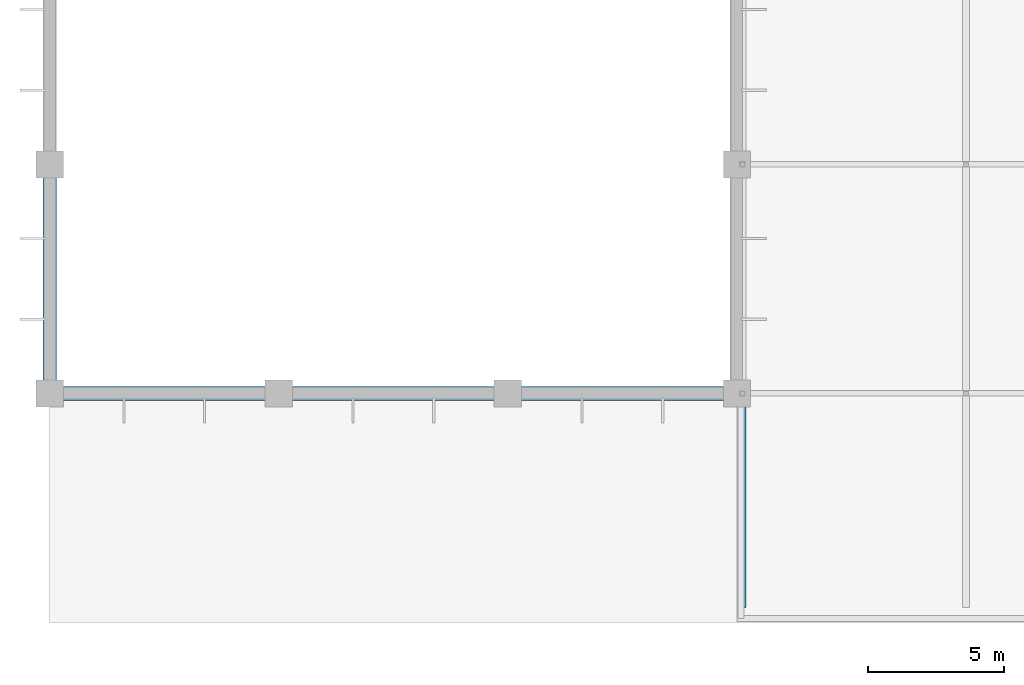
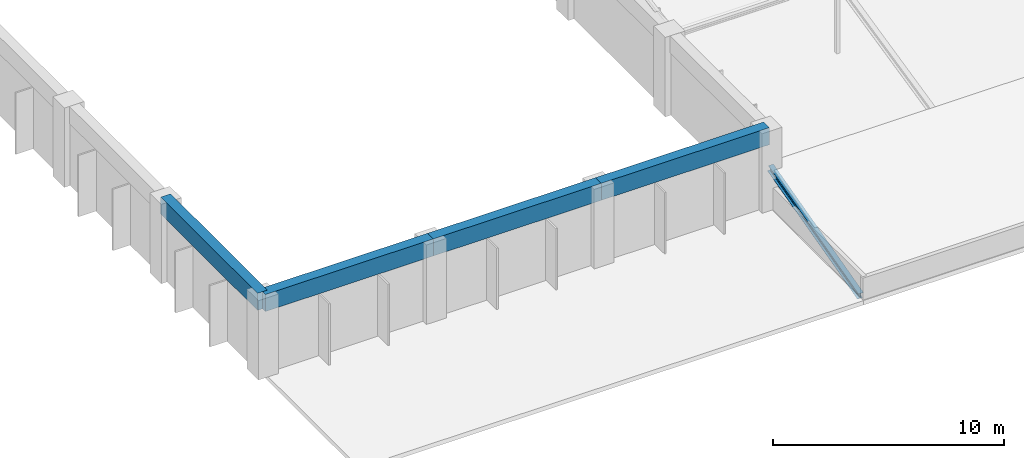
# One storey, part 4 of 34: 4 beams, 1 member.
"""IFC4 building model written with IfcOpenShell, lengths in metres."""

import ifcopenshell
import ifcopenshell.guid

model = None  # the IFC model being written
_history = None  # IfcOwnerHistory: only IFC2X3 demands one
_inside = {}  # id of a spatial element -> (the spatial element, [elements in it])
_under = {}  # id of a project, library or spatial element -> (it, [spatial elements below it])
_declared = {}  # id of a project -> (the project, [libraries it declares])
_typed = {}  # id of a type object -> (the type object, [elements of that type])
_made_of = {}  # id of a material, layer set ... -> (it, [elements and type objects made of it])


def new_model(schema):
    """Start an empty IFC model of exactly this schema.

    Asked for "IFC4X3", IfcOpenShell would pick the latest addendum, in which some entities
    have other attributes; the version numbers below select the first issue.
    IFC2X3 requires an IfcOwnerHistory on every rooted entity: one is made here for all.
    """
    global model, _history
    if schema == "IFC4X3":
        model = ifcopenshell.file(schema_version=(4, 3, 0, 0))
    else:
        model = ifcopenshell.file(schema=schema)
    _inside.clear()
    _under.clear()
    _declared.clear()
    _typed.clear()
    _made_of.clear()
    _history = None
    if model.schema == "IFC2X3":
        org = make("IfcOrganization", Name="unknown")
        user = make(
            "IfcPersonAndOrganization",
            ThePerson=make("IfcPerson", FamilyName="unknown"),
            TheOrganization=org,
        )
        app = make(
            "IfcApplication",
            ApplicationDeveloper=org,
            Version="unknown",
            ApplicationFullName="unknown",
            ApplicationIdentifier="unknown",
        )
        _history = make(
            "IfcOwnerHistory",
            OwningUser=user,
            OwningApplication=app,
            ChangeAction="ADDED",
            CreationDate=0,
        )
    return model


def make(cls, **values):
    """One entity of the class cls with the attributes given. An attribute that is None is left unset."""
    return model.create_entity(
        cls, **{name: value for name, value in values.items() if value is not None}
    )


def rooted(cls, **values):
    """An entity with a GlobalId (a new one), such as an element, a storey or a relation."""
    return make(cls, GlobalId=ifcopenshell.guid.new(), OwnerHistory=_history, **values)


def si_unit(unit_type, name, prefix=None):
    """IfcSIUnit, for example si_unit("LENGTHUNIT", "METRE", prefix="MILLI")."""
    return make("IfcSIUnit", UnitType=unit_type, Prefix=prefix, Name=name)


def assignment(units):
    """IfcUnitAssignment: the units of a project."""
    return None if units is None else make("IfcUnitAssignment", Units=units)


def point(xyz):
    """IfcCartesianPoint."""
    return None if xyz is None else make("IfcCartesianPoint", Coordinates=xyz)


def direction(xyz):
    """IfcDirection."""
    return None if xyz is None else make("IfcDirection", DirectionRatios=xyz)


def frame(location, z_axis=None, x_axis=None):
    """IfcAxis2Placement3D, a coordinate frame: its origin and axes. An axis left out is left unset."""
    return make(
        "IfcAxis2Placement3D",
        Location=point(location),
        Axis=direction(z_axis),
        RefDirection=direction(x_axis),
    )


def frame_2d(location, x_axis=None):
    """IfcAxis2Placement2D, a coordinate frame in the plane: its origin and x axis."""
    return make(
        "IfcAxis2Placement2D", Location=point(location), RefDirection=direction(x_axis)
    )


def origin():
    """The frame at (0, 0, 0) with its axes left unset."""
    return frame((0.0, 0.0, 0.0))


def origin_2d():
    """The frame at (0, 0) in the plane with its x axis left unset."""
    return frame_2d((0.0, 0.0))


def place(relative_to, where):
    """IfcLocalPlacement: puts the frame where relative to a parent placement (None: the world)."""
    return make(
        "IfcLocalPlacement", PlacementRelTo=relative_to, RelativePlacement=where
    )


def context(
    kind, dimensions, precision=None, world=None, true_north=None, identifier=None
):
    """IfcGeometricRepresentationContext, for example the 3D "Model" context."""
    return make(
        "IfcGeometricRepresentationContext",
        ContextIdentifier=identifier,
        ContextType=kind,
        CoordinateSpaceDimension=dimensions,
        Precision=precision,
        WorldCoordinateSystem=world,
        TrueNorth=true_north,
    )


def subcontext(parent, identifier, kind, view, scale=None):
    """IfcGeometricRepresentationSubContext, for example "Body" below "Model"."""
    return make(
        "IfcGeometricRepresentationSubContext",
        ContextIdentifier=identifier,
        ContextType=kind,
        ParentContext=parent,
        TargetScale=scale,
        TargetView=view,
    )


def project(units=None, contexts=None):
    """IfcProject with its units and contexts."""
    return rooted(
        "IfcProject",
        Name="project",
        RepresentationContexts=contexts,
        UnitsInContext=assignment(units),
    )


def spatial(cls, under=None, at=None, **own):
    """A site, building, storey or space (cls), placed at a placement, below another one or the project."""
    s = rooted(cls, ObjectPlacement=at, **own)
    if under is not None:
        _under.setdefault(under.id(), (under, []))[1].append(s)
    return s


def profile(cls, at=None, kind="AREA", **sizes):
    """A parametric profile (cls). Its sizes go by their IFC names, for example OverallWidth=200.0."""
    return make(cls, ProfileType=kind, Position=at, **sizes)


def rectangle(**sizes):
    """IfcRectangleProfileDef."""
    return profile("IfcRectangleProfileDef", **sizes)


def i_section(**sizes):
    """IfcIShapeProfileDef."""
    return profile("IfcIShapeProfileDef", **sizes)


def extrude(swept, where, along, depth):
    """IfcExtrudedAreaSolid: the profile swept, set in the frame where, extruded along a direction by depth."""
    return make(
        "IfcExtrudedAreaSolid",
        SweptArea=swept,
        Position=where,
        ExtrudedDirection=direction(along),
        Depth=depth,
    )


def shape(context_of_items, identifier, shape_type, items):
    """IfcShapeRepresentation: the items that make up one representation, for example the "Body"."""
    return make(
        "IfcShapeRepresentation",
        ContextOfItems=context_of_items,
        RepresentationIdentifier=identifier,
        RepresentationType=shape_type,
        Items=items,
    )


def material(Name=None, Category=None):
    """IfcMaterial."""
    return make("IfcMaterial", Name=Name, Category=Category)


def material_profile(
    of_material, cross_section, Name=None, Category=None, Priority=None
):
    """IfcMaterialProfile: a cross section and its material."""
    return make(
        "IfcMaterialProfile",
        Name=Name,
        Material=of_material,
        Profile=cross_section,
        Priority=Priority,
        Category=Category,
    )


def profile_set(profiles, Name=None, composite=None):
    """IfcMaterialProfileSet."""
    return make(
        "IfcMaterialProfileSet",
        Name=Name,
        MaterialProfiles=profiles,
        CompositeProfile=composite,
    )


def made_of(thing, what):
    """Note that an element or type object is made of a material, layer set ...; save() writes the relation."""
    if what is not None:
        _made_of.setdefault(what.id(), (what, []))[1].append(thing)
    return thing


def type_object(cls, material=None, **own):
    """A type object (cls), such as IfcWallType, which elements share."""
    return made_of(rooted(cls, **own), material)


def element(
    cls,
    number,
    at=None,
    inside=None,
    cuts=None,
    type_object=None,
    material=None,
    context=None,
    identifier="Body",
    shape_type=None,
    held_by="IfcProductDefinitionShape",
    body=None,
    shapes=None,
    **own,
):
    """One element of the class cls, such as IfcWall. Its Tag is "e" and its number.

    at: its placement. inside: the storey or other place that contains it. cuts: it is an
    opening in that element (IfcRelVoidsElement). A single representation is given by context,
    identifier, shape_type and body (its items); several are given by shapes. held_by: the class
    of the entity that holds the representations. save() writes the other relations.
    """
    e = rooted(cls, Tag="e%d" % number, ObjectPlacement=at, **own)
    if body is not None:
        shapes = [shape(context, identifier, shape_type, body)]
    if shapes is not None:
        e.Representation = make(held_by, Representations=shapes)
    if inside is not None:
        _inside.setdefault(inside.id(), (inside, []))[1].append(e)
    if cuts is not None:
        rooted(
            "IfcRelVoidsElement", RelatingBuildingElement=cuts, RelatedOpeningElement=e
        )
    if type_object is not None:
        _typed.setdefault(type_object.id(), (type_object, []))[1].append(e)
    return made_of(e, material)


def aggregate(whole, parts):
    """IfcRelAggregates: a whole, such as a stair, and the parts it consists of."""
    return rooted("IfcRelAggregates", RelatingObject=whole, RelatedObjects=parts)


def save(model, path):
    """Write the relations noted so far, then the file.

    IfcRelAggregates (storeys below a building ...), IfcRelContainedInSpatialStructure (elements
    in a storey), IfcRelDefinesByType, IfcRelAssociatesMaterial and IfcRelDeclares: one each for
    every whole, place, type object, material and project.
    """
    for whole, parts in _under.values():
        aggregate(whole, parts)
    for where, things in _inside.values():
        rooted(
            "IfcRelContainedInSpatialStructure",
            RelatedElements=things,
            RelatingStructure=where,
        )
    for kind, things in _typed.values():
        rooted("IfcRelDefinesByType", RelatedObjects=things, RelatingType=kind)
    for what, things in _made_of.values():
        rooted("IfcRelAssociatesMaterial", RelatedObjects=things, RelatingMaterial=what)
    for by, libraries in _declared.values():
        rooted("IfcRelDeclares", RelatingContext=by, RelatedDefinitions=libraries)
    model.write(path)


model = new_model("IFC4")

# Units and contexts
model_context = context("Model", 3, precision=1e-05, world=origin(), true_north=direction((0.0, 1.0)))
body_context = subcontext(model_context, "Body", "Model", "MODEL_VIEW")
ifc_project = project(units=[si_unit("LENGTHUNIT", "METRE"), si_unit("AREAUNIT", "SQUARE_METRE"), si_unit("VOLUMEUNIT", "CUBIC_METRE"), si_unit("PLANEANGLEUNIT", "RADIAN"), si_unit("MASSUNIT", "GRAM", prefix="KILO")], contexts=[model_context])

# Site, building, storey
site_placement = place(None, origin())
site = spatial("IfcSite", under=ifc_project, at=site_placement, CompositionType="ELEMENT")
building_placement = place(site_placement, origin())
building = spatial("IfcBuilding", under=site, at=building_placement, Name="Xuanlan Plaza Opera House", CompositionType="ELEMENT")
storey_placement = place(building_placement, frame((0.0, 0.0, 27.89990234375)))
storey = spatial("IfcBuildingStorey", under=building, at=storey_placement, Name="L06", CompositionType="ELEMENT", Elevation=27.89990234375)

# Beams
ifc_material_1 = material(Name="Concrete C40", Category="concrete")
ifc_material_profile_1 = material_profile(ifc_material_1, rectangle(XDim=0.5, YDim=0.89990234375, at=origin_2d()), Name="RC-BM 500x900")
ifc_profile_set_1 = profile_set([ifc_material_profile_1], Name="Concrete C40")
beam_type = type_object("IfcBeamType", Name="STR-BM-B-03", PredefinedType="BEAM", material=ifc_profile_set_1)
for number, where, z_axis, x_axis, name in (
    (1, (42.0, 42.0, 3.75), (0.0, 1.0, 0.0), (-1.0, 0.0, 0.0), "Fly Tower Ring Beam Y L06 6/F-G"),
    (2, (42.0, 42.0, 3.75), (1.0, 0.0, 0.0), (0.0, 1.0, 0.0), "Fly Tower Ring Beam X L06 6-7/F"),
):
    element("IfcBeam", number, at=place(storey_placement, frame(where, z_axis=z_axis, x_axis=x_axis)), inside=storey, type_object=beam_type, Name=name, PredefinedType="BEAM", context=body_context, shape_type="SweptSolid", body=[
        extrude(rectangle(XDim=0.5, YDim=0.89990234375, at=origin_2d()), origin(), (0.0, 0.0, 1.0), 8.39990234375),
    ])
beam_1_placement = place(storey_placement, frame((50.39990234375, 42.0, 3.75), z_axis=(1.0, 0.0, 0.0), x_axis=(0.0, 1.0, 0.0)))
element("IfcBeam", 3, at=beam_1_placement, inside=storey, type_object=beam_type, Name="Fly Tower Ring Beam X L06 7-8/F", PredefinedType="BEAM", context=body_context, shape_type="SweptSolid", body=[
    extrude(rectangle(XDim=0.5, YDim=0.89990234375, at=origin_2d()), origin(), (0.0, 0.0, 1.0), 8.400146484375),
])
beam_2_placement = place(storey_placement, frame((58.800048828125, 42.0, 3.75), z_axis=(1.0, 0.0, 0.0), x_axis=(0.0, 1.0, 0.0)))
element("IfcBeam", 4, at=beam_2_placement, inside=storey, type_object=beam_type, Name="Fly Tower Ring Beam X L06 8-9/F", PredefinedType="BEAM", context=body_context, shape_type="SweptSolid", body=[
    extrude(rectangle(XDim=0.5, YDim=0.89990234375, at=origin_2d()), origin(), (0.0, 0.0, 1.0), 8.39990234375),
])

# Member
ifc_material_2 = material(Name="Steel Q355B", Category="steel")
ifc_material_profile_2 = material_profile(ifc_material_2, i_section(OverallWidth=0.25, OverallDepth=0.340087890625, WebThickness=0.009033203125, FlangeThickness=0.013916015625, FilletRadius=0.01611328125, at=origin_2d()), Name="HM 340x250x9x14")
ifc_profile_set_2 = profile_set([ifc_material_profile_2], Name="Steel Q355B")
member_type = type_object("IfcMemberType", Name="STR-MEM-TC-01", PredefinedType="CHORD", material=ifc_profile_set_2)
member_placement = place(storey_placement, frame((67.39990234375, 34.199951171875, -0.179931640625), z_axis=(0.0, 0.966847972596, 0.255352693128), x_axis=(-1.0, 0.0, 0.0)))
element("IfcMember", 5, at=member_placement, inside=storey, type_object=member_type, Name="Auditorium Parabolic Vault Arch Chord 01-1", PredefinedType="CHORD", context=body_context, shape_type="SweptSolid", body=[
    extrude(i_section(OverallWidth=0.25, OverallDepth=0.340087890625, WebThickness=0.009033203125, FlangeThickness=0.013916015625, FilletRadius=0.01611328125, at=origin_2d()), origin(), (0.0, 0.0, 1.0), 8.0673828125),
])

save(model, "model.ifc")
